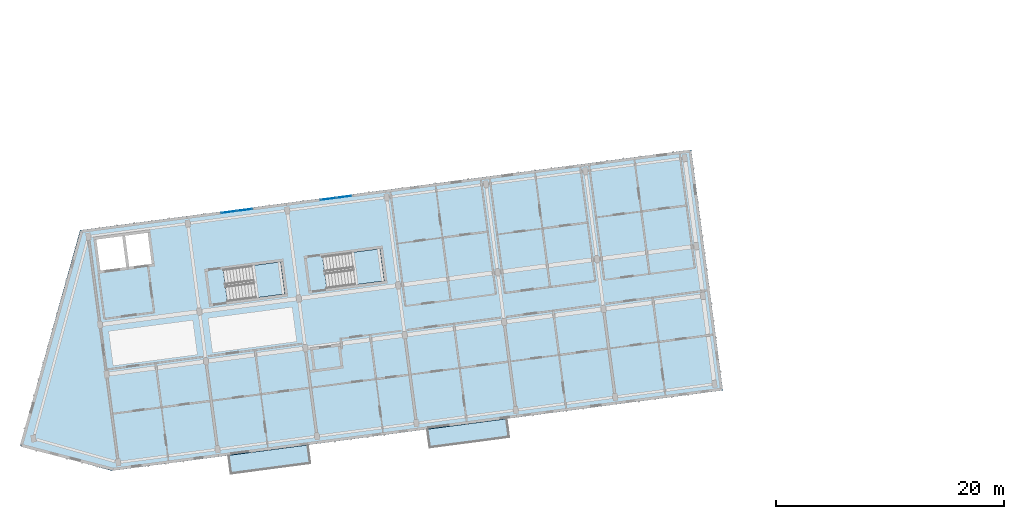
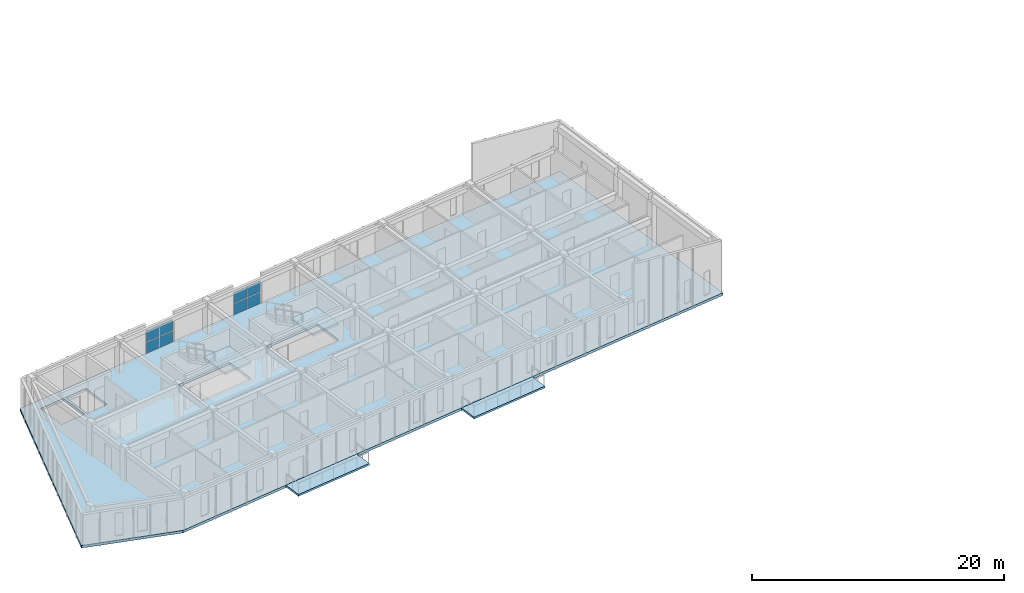
# One storey, part 10 of 31: 8 plates, 5 slabs, 4 elements without a shape of their own.
"""IFC4 building model written with IfcOpenShell, lengths in metres."""

from ifc_helpers import new_model, si_unit, direction, frame, origin, origin_2d, place, context, subcontext, project, spatial, polyline, rectangle, outline, extrude, material, layer, layer_set, type_object, element, aggregate, save


model = new_model("IFC4")

# Units and contexts
model_context = context("Model", 3, precision=1e-05, world=origin(), true_north=direction((0.0, 1.0)))
body_context = subcontext(model_context, "Body", "Model", "MODEL_VIEW")
ifc_project = project(units=[si_unit("LENGTHUNIT", "METRE"), si_unit("AREAUNIT", "SQUARE_METRE"), si_unit("VOLUMEUNIT", "CUBIC_METRE"), si_unit("PLANEANGLEUNIT", "RADIAN"), si_unit("MASSUNIT", "GRAM", prefix="KILO")], contexts=[model_context])

# Site, building, storey
site_placement = place(None, origin())
site = spatial("IfcSite", under=ifc_project, at=site_placement, CompositionType="ELEMENT")
building_placement = place(site_placement, origin())
building = spatial("IfcBuilding", under=site, at=building_placement, Name="Kestramere Prow Commons", CompositionType="ELEMENT")
storey_placement = place(building_placement, frame((0.0, 0.0, 37.64990234375)))
storey = spatial("IfcBuildingStorey", under=building, at=storey_placement, Name="L11", CompositionType="ELEMENT", Elevation=37.64990234375)

# Curtain wall, plates
ifc_material_1 = material(Name="Anodised Aluminium and Low-E Glass", Category="aluminium")
curtain_wall_type = type_object("IfcCurtainWallType", Name="CW-03 Glazed Curtain Wall 2830x2320", PredefinedType="USERDEFINED", material=ifc_material_1)
curtain_wall_1_placement = place(storey_placement, origin())
curtain_wall_1 = element("IfcCurtainWall", 1, at=curtain_wall_1_placement, inside=storey, type_object=curtain_wall_type, Name="Block A L11 Stairwell Vertical Glazing 2", ObjectType="GLAZED CURTAIN WALL", PredefinedType="USERDEFINED")
ifc_material_2 = material(Name="Low-E Laminated Double Glazing", Category="glass")
ifc_layer_1 = layer(ifc_material_2, 0.028076171875)
ifc_layer_set_1 = layer_set([ifc_layer_1], Name="Low-E Laminated Double Glazing")
plate_type = type_object("IfcPlateType", Name="CW-PNL-28", PredefinedType="CURTAIN_PANEL", material=ifc_layer_set_1)
plate_1_placement = place(storey_placement, frame((20.922607421875, 93.982177734375, 0.065185546875), z_axis=(0.0, 0.0, 1.0), x_axis=(0.991444867297, 0.13052614723, 0.0)))
plate_1 = element("IfcPlate", 2, at=plate_1_placement, type_object=plate_type, Name="CW-03 panel 1.1", PredefinedType="CURTAIN_PANEL", context=body_context, shape_type="SweptSolid", body=[
    extrude(rectangle(XDim=1.3173828125, YDim=0.028076171875, at=origin_2d()), origin(), (0.0, 0.0, 1.0), 1.0625),
])
plate_2_placement = place(storey_placement, frame((20.922607421875, 93.982177734375, 1.192626953125), z_axis=(0.0, 0.0, 1.0), x_axis=(0.991444867297, 0.13052614723, 0.0)))
plate_2 = element("IfcPlate", 3, at=plate_2_placement, type_object=plate_type, Name="CW-03 panel 1.2", PredefinedType="CURTAIN_PANEL", context=body_context, shape_type="SweptSolid", body=[
    extrude(rectangle(XDim=1.3173828125, YDim=0.028076171875, at=origin_2d()), origin(), (0.0, 0.0, 1.0), 1.0625),
])
plate_3_placement = place(storey_placement, frame((22.29345703125, 94.16259765625, 0.065185546875), z_axis=(0.0, 0.0, 1.0), x_axis=(0.991444867297, 0.13052614723, 0.0)))
plate_3 = element("IfcPlate", 4, at=plate_3_placement, type_object=plate_type, Name="CW-03 panel 2.1", PredefinedType="CURTAIN_PANEL", context=body_context, shape_type="SweptSolid", body=[
    extrude(rectangle(XDim=1.3173828125, YDim=0.028076171875, at=origin_2d()), origin(), (0.0, 0.0, 1.0), 1.0625),
])
plate_4_placement = place(storey_placement, frame((22.29345703125, 94.16259765625, 1.192626953125), z_axis=(0.0, 0.0, 1.0), x_axis=(0.991444867297, 0.13052614723, 0.0)))
plate_4 = element("IfcPlate", 5, at=plate_4_placement, type_object=plate_type, Name="CW-03 panel 2.2", PredefinedType="CURTAIN_PANEL", context=body_context, shape_type="SweptSolid", body=[
    extrude(rectangle(XDim=1.3173828125, YDim=0.028076171875, at=origin_2d()), origin(), (0.0, 0.0, 1.0), 1.0625),
])
aggregate(curtain_wall_1, [plate_1, plate_2, plate_3, plate_4])

curtain_wall_2_placement = place(storey_placement, origin())
curtain_wall_2 = element("IfcCurtainWall", 6, at=curtain_wall_2_placement, inside=storey, type_object=curtain_wall_type, Name="Block A L11 Stairwell Vertical Glazing 3", ObjectType="GLAZED CURTAIN WALL", PredefinedType="USERDEFINED")
plate_5_placement = place(storey_placement, frame((29.6474609375, 95.130859375, 0.065185546875), z_axis=(0.0, 0.0, 1.0), x_axis=(0.991444821571, 0.130526494555, 0.0)))
plate_5 = element("IfcPlate", 7, at=plate_5_placement, type_object=plate_type, Name="CW-03 panel 1.1", PredefinedType="CURTAIN_PANEL", context=body_context, shape_type="SweptSolid", body=[
    extrude(rectangle(XDim=1.3173828125, YDim=0.028076171875, at=origin_2d()), origin(), (0.0, 0.0, 1.0), 1.0625),
])
plate_6_placement = place(storey_placement, frame((29.6474609375, 95.130859375, 1.192626953125), z_axis=(0.0, 0.0, 1.0), x_axis=(0.991444821571, 0.130526494555, 0.0)))
plate_6 = element("IfcPlate", 8, at=plate_6_placement, type_object=plate_type, Name="CW-03 panel 1.2", PredefinedType="CURTAIN_PANEL", context=body_context, shape_type="SweptSolid", body=[
    extrude(rectangle(XDim=1.3173828125, YDim=0.028076171875, at=origin_2d()), origin(), (0.0, 0.0, 1.0), 1.0625),
])
plate_7_placement = place(storey_placement, frame((31.01806640625, 95.311279296875, 0.065185546875), z_axis=(0.0, 0.0, 1.0), x_axis=(0.991444821571, 0.130526494555, 0.0)))
plate_7 = element("IfcPlate", 9, at=plate_7_placement, type_object=plate_type, Name="CW-03 panel 2.1", PredefinedType="CURTAIN_PANEL", context=body_context, shape_type="SweptSolid", body=[
    extrude(rectangle(XDim=1.3173828125, YDim=0.028076171875, at=origin_2d()), origin(), (0.0, 0.0, 1.0), 1.0625),
])
plate_8_placement = place(storey_placement, frame((31.01806640625, 95.311279296875, 1.192626953125), z_axis=(0.0, 0.0, 1.0), x_axis=(0.991444821571, 0.130526494555, 0.0)))
plate_8 = element("IfcPlate", 10, at=plate_8_placement, type_object=plate_type, Name="CW-03 panel 2.2", PredefinedType="CURTAIN_PANEL", context=body_context, shape_type="SweptSolid", body=[
    extrude(rectangle(XDim=1.3173828125, YDim=0.028076171875, at=origin_2d()), origin(), (0.0, 0.0, 1.0), 1.0625),
])
aggregate(curtain_wall_2, [plate_5, plate_6, plate_7, plate_8])

# Slabs
ifc_material_3 = material(Name="Precast concrete C40/50", Category="concrete")
ifc_layer_2 = layer(ifc_material_3, 0.179931640625)
ifc_layer_set_2 = layer_set([ifc_layer_2], Name="Precast concrete C40/50")
slab_type_1 = type_object("IfcSlabType", Name="SL-BALC-180", PredefinedType="FLOOR", material=ifc_layer_set_2)
slab_1_placement = place(storey_placement, frame((0.0, 0.0, -0.179931640625)))
element("IfcSlab", 11, at=slab_1_placement, inside=storey, type_object=slab_type_1, Name="Block A L11 Apartment Balcony Slab 2", PredefinedType="FLOOR", context=body_context, shape_type="SweptSolid", body=[
    extrude(outline(polyline([(21.067626953125, 70.979248046875), (28.10693359375, 71.906005859375), (27.8916015625, 73.5419921875), (20.852294921875, 72.615234375), (21.067626953125, 70.979248046875)])), origin(), (0.0, 0.0, 1.0), 0.179931640625),
])
slab_2_placement = place(storey_placement, frame((0.0, 0.0, -0.179931640625)))
element("IfcSlab", 12, at=slab_2_placement, inside=storey, type_object=slab_type_1, Name="Block A L11 Apartment Balcony Slab 4", PredefinedType="FLOOR", context=body_context, shape_type="SweptSolid", body=[
    extrude(outline(polyline([(38.51708984375, 73.276611328125), (45.556396484375, 74.203369140625), (45.341064453125, 75.839111328125), (38.3017578125, 74.912353515625), (38.51708984375, 73.276611328125)])), origin(), (0.0, 0.0, 1.0), 0.179931640625),
])
ifc_layer_3 = layer(ifc_material_3, 0.25)
ifc_layer_set_3 = layer_set([ifc_layer_3], Name="Precast concrete C40/50")
slab_type_2 = type_object("IfcSlabType", Name="SL-HC-250", PredefinedType="FLOOR", material=ifc_layer_set_3)
slab_3_placement = place(storey_placement, frame((0.0, 0.0, -0.25)))
element("IfcSlab", 13, at=slab_3_placement, inside=storey, type_object=slab_type_2, Name="Block A L11 Hollowcore Floor Slab", PredefinedType="FLOOR", context=body_context, shape_type="SweptSolid", body=[
    extrude(outline(polyline([(2.58203125, 73.48779296875), (10.640380859375, 71.270751953125), (64.277587890625, 78.332275390625), (61.497314453125, 99.449951171875), (7.860107421875, 92.388427734375), (2.58203125, 73.48779296875)]), holes=[polyline([(9.638427734375, 88.84033203125), (11.9189453125, 89.140380859375), (11.559814453125, 91.866943359375), (9.279541015625, 91.566650390625), (9.638427734375, 88.84033203125)]), polyline([(12.166748046875, 89.173095703125), (14.149658203125, 89.43408203125), (13.790771484375, 92.16064453125), (11.807861328125, 91.899658203125), (12.166748046875, 89.173095703125)]), polyline([(20.78857421875, 86.122314453125), (25.844970703125, 86.7880859375), (25.47314453125, 89.61376953125), (20.416748046875, 88.947998046875), (20.78857421875, 86.122314453125)]), polyline([(29.513427734375, 87.27099609375), (34.56982421875, 87.936767578125), (34.19775390625, 90.76220703125), (29.141357421875, 90.0966796875), (29.513427734375, 87.27099609375)])]), origin(), (0.0, 0.0, 1.0), 0.25),
])

# Stair, slab
ifc_material_4 = material(Name="Concrete C40/50", Category="concrete")
stair_type = type_object("IfcStairType", Name="ST-DOG-1350", PredefinedType="HALF_TURN_STAIR", material=ifc_material_4)
stair_1_placement = place(storey_placement, origin())
stair_1 = element("IfcStair", 14, at=stair_1_placement, inside=storey, type_object=stair_type, Name="L11 Block A Exit Stair 1", PredefinedType="HALF_TURN_STAIR")
ifc_layer_4 = layer(ifc_material_4, 0.199951171875)
ifc_layer_set_4 = layer_set([ifc_layer_4], Name="Concrete C40/50")
slab_type_3 = type_object("IfcSlabType", Name="SL-ST-LAND-200", PredefinedType="LANDING", material=ifc_layer_set_4)
slab_4_placement = place(storey_placement, frame((0.0, 0.0, 1.425048828125)))
slab_4 = element("IfcSlab", 15, at=slab_4_placement, type_object=slab_type_3, Name="ST-A1 landing 1", PredefinedType="LANDING", context=body_context, shape_type="SweptSolid", body=[
    extrude(outline(polyline([(23.287109375, 86.451416015625), (25.844970703125, 86.7880859375), (25.47314453125, 89.61376953125), (22.9150390625, 89.27685546875), (23.287109375, 86.451416015625)])), origin(), (0.0, 0.0, 1.0), 0.199951171875),
])
aggregate(stair_1, [slab_4])

stair_2_placement = place(storey_placement, origin())
stair_2 = element("IfcStair", 16, at=stair_2_placement, inside=storey, type_object=stair_type, Name="L11 Block A Exit Stair 2", PredefinedType="HALF_TURN_STAIR")
slab_5_placement = place(storey_placement, frame((0.0, 0.0, 1.425048828125)))
slab_5 = element("IfcSlab", 17, at=slab_5_placement, type_object=slab_type_3, Name="ST-A2 landing 1", PredefinedType="LANDING", context=body_context, shape_type="SweptSolid", body=[
    extrude(outline(polyline([(32.011962890625, 87.599853515625), (34.56982421875, 87.936767578125), (34.19775390625, 90.76220703125), (31.639892578125, 90.425537109375), (32.011962890625, 87.599853515625)])), origin(), (0.0, 0.0, 1.0), 0.199951171875),
])
aggregate(stair_2, [slab_5])

save(model, "model.ifc")
